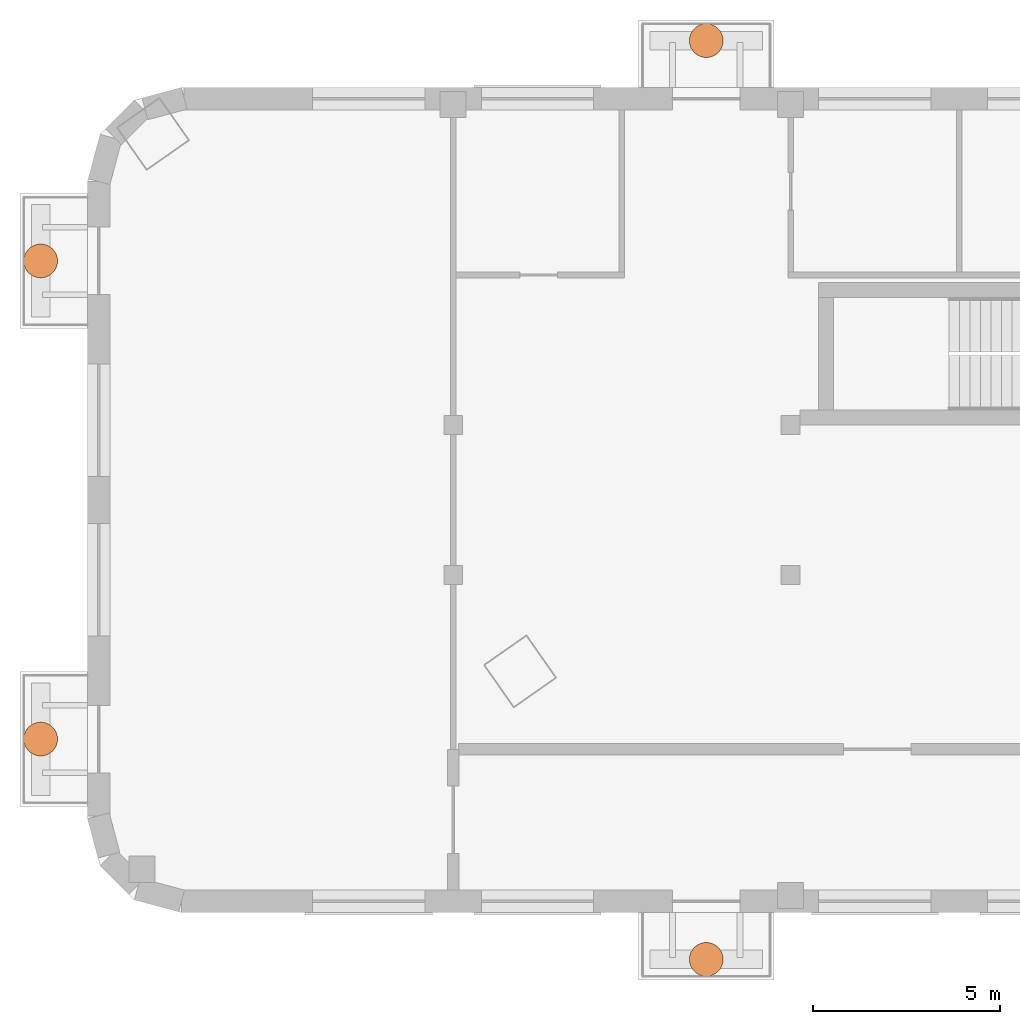
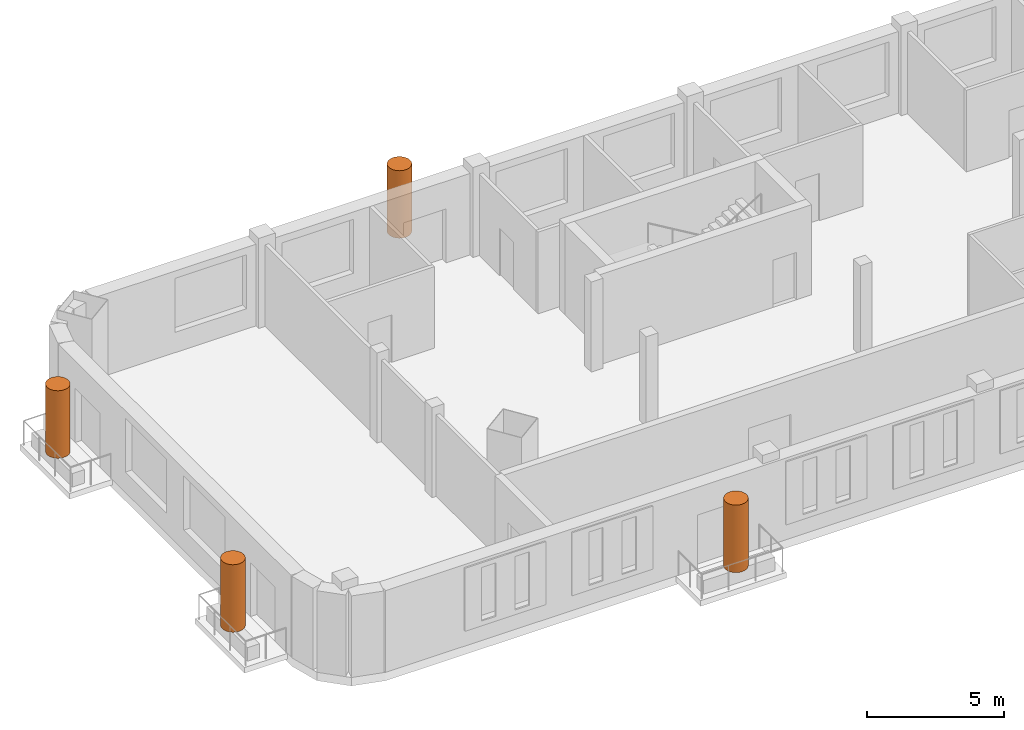
# One storey, part 7 of 7: 4 geographic elements.
"""IFC4 building model written with IfcOpenShell, lengths in metres."""

import ifcopenshell
import ifcopenshell.guid

model = None  # the IFC model being written
_history = None  # IfcOwnerHistory: only IFC2X3 demands one
_inside = {}  # id of a spatial element -> (the spatial element, [elements in it])
_under = {}  # id of a project, library or spatial element -> (it, [spatial elements below it])
_declared = {}  # id of a project -> (the project, [libraries it declares])
_typed = {}  # id of a type object -> (the type object, [elements of that type])
_made_of = {}  # id of a material, layer set ... -> (it, [elements and type objects made of it])


def new_model(schema):
    """Start an empty IFC model of exactly this schema.

    Asked for "IFC4X3", IfcOpenShell would pick the latest addendum, in which some entities
    have other attributes; the version numbers below select the first issue.
    IFC2X3 requires an IfcOwnerHistory on every rooted entity: one is made here for all.
    """
    global model, _history
    if schema == "IFC4X3":
        model = ifcopenshell.file(schema_version=(4, 3, 0, 0))
    else:
        model = ifcopenshell.file(schema=schema)
    _inside.clear()
    _under.clear()
    _declared.clear()
    _typed.clear()
    _made_of.clear()
    _history = None
    if model.schema == "IFC2X3":
        org = make("IfcOrganization", Name="unknown")
        user = make(
            "IfcPersonAndOrganization",
            ThePerson=make("IfcPerson", FamilyName="unknown"),
            TheOrganization=org,
        )
        app = make(
            "IfcApplication",
            ApplicationDeveloper=org,
            Version="unknown",
            ApplicationFullName="unknown",
            ApplicationIdentifier="unknown",
        )
        _history = make(
            "IfcOwnerHistory",
            OwningUser=user,
            OwningApplication=app,
            ChangeAction="ADDED",
            CreationDate=0,
        )
    return model


def make(cls, **values):
    """One entity of the class cls with the attributes given. An attribute that is None is left unset."""
    return model.create_entity(
        cls, **{name: value for name, value in values.items() if value is not None}
    )


def rooted(cls, **values):
    """An entity with a GlobalId (a new one), such as an element, a storey or a relation."""
    return make(cls, GlobalId=ifcopenshell.guid.new(), OwnerHistory=_history, **values)


def si_unit(unit_type, name, prefix=None):
    """IfcSIUnit, for example si_unit("LENGTHUNIT", "METRE", prefix="MILLI")."""
    return make("IfcSIUnit", UnitType=unit_type, Prefix=prefix, Name=name)


def assignment(units):
    """IfcUnitAssignment: the units of a project."""
    return None if units is None else make("IfcUnitAssignment", Units=units)


def point(xyz):
    """IfcCartesianPoint."""
    return None if xyz is None else make("IfcCartesianPoint", Coordinates=xyz)


def direction(xyz):
    """IfcDirection."""
    return None if xyz is None else make("IfcDirection", DirectionRatios=xyz)


def frame(location, z_axis=None, x_axis=None):
    """IfcAxis2Placement3D, a coordinate frame: its origin and axes. An axis left out is left unset."""
    return make(
        "IfcAxis2Placement3D",
        Location=point(location),
        Axis=direction(z_axis),
        RefDirection=direction(x_axis),
    )


def frame_2d(location, x_axis=None):
    """IfcAxis2Placement2D, a coordinate frame in the plane: its origin and x axis."""
    return make(
        "IfcAxis2Placement2D", Location=point(location), RefDirection=direction(x_axis)
    )


def origin():
    """The frame at (0, 0, 0) with its axes left unset."""
    return frame((0.0, 0.0, 0.0))


def origin_2d():
    """The frame at (0, 0) in the plane with its x axis left unset."""
    return frame_2d((0.0, 0.0))


def place(relative_to, where):
    """IfcLocalPlacement: puts the frame where relative to a parent placement (None: the world)."""
    return make(
        "IfcLocalPlacement", PlacementRelTo=relative_to, RelativePlacement=where
    )


def context(
    kind, dimensions, precision=None, world=None, true_north=None, identifier=None
):
    """IfcGeometricRepresentationContext, for example the 3D "Model" context."""
    return make(
        "IfcGeometricRepresentationContext",
        ContextIdentifier=identifier,
        ContextType=kind,
        CoordinateSpaceDimension=dimensions,
        Precision=precision,
        WorldCoordinateSystem=world,
        TrueNorth=true_north,
    )


def subcontext(parent, identifier, kind, view, scale=None):
    """IfcGeometricRepresentationSubContext, for example "Body" below "Model"."""
    return make(
        "IfcGeometricRepresentationSubContext",
        ContextIdentifier=identifier,
        ContextType=kind,
        ParentContext=parent,
        TargetScale=scale,
        TargetView=view,
    )


def project(units=None, contexts=None):
    """IfcProject with its units and contexts."""
    return rooted(
        "IfcProject",
        Name="project",
        RepresentationContexts=contexts,
        UnitsInContext=assignment(units),
    )


def spatial(cls, under=None, at=None, **own):
    """A site, building, storey or space (cls), placed at a placement, below another one or the project."""
    s = rooted(cls, ObjectPlacement=at, **own)
    if under is not None:
        _under.setdefault(under.id(), (under, []))[1].append(s)
    return s


def profile(cls, at=None, kind="AREA", **sizes):
    """A parametric profile (cls). Its sizes go by their IFC names, for example OverallWidth=200.0."""
    return make(cls, ProfileType=kind, Position=at, **sizes)


def circle(**sizes):
    """IfcCircleProfileDef."""
    return profile("IfcCircleProfileDef", **sizes)


def extrude(swept, where, along, depth):
    """IfcExtrudedAreaSolid: the profile swept, set in the frame where, extruded along a direction by depth."""
    return make(
        "IfcExtrudedAreaSolid",
        SweptArea=swept,
        Position=where,
        ExtrudedDirection=direction(along),
        Depth=depth,
    )


def shape(context_of_items, identifier, shape_type, items):
    """IfcShapeRepresentation: the items that make up one representation, for example the "Body"."""
    return make(
        "IfcShapeRepresentation",
        ContextOfItems=context_of_items,
        RepresentationIdentifier=identifier,
        RepresentationType=shape_type,
        Items=items,
    )


def made_of(thing, what):
    """Note that an element or type object is made of a material, layer set ...; save() writes the relation."""
    if what is not None:
        _made_of.setdefault(what.id(), (what, []))[1].append(thing)
    return thing


def element(
    cls,
    number,
    at=None,
    inside=None,
    cuts=None,
    type_object=None,
    material=None,
    context=None,
    identifier="Body",
    shape_type=None,
    held_by="IfcProductDefinitionShape",
    body=None,
    shapes=None,
    **own,
):
    """One element of the class cls, such as IfcWall. Its Tag is "e" and its number.

    at: its placement. inside: the storey or other place that contains it. cuts: it is an
    opening in that element (IfcRelVoidsElement). A single representation is given by context,
    identifier, shape_type and body (its items); several are given by shapes. held_by: the class
    of the entity that holds the representations. save() writes the other relations.
    """
    e = rooted(cls, Tag="e%d" % number, ObjectPlacement=at, **own)
    if body is not None:
        shapes = [shape(context, identifier, shape_type, body)]
    if shapes is not None:
        e.Representation = make(held_by, Representations=shapes)
    if inside is not None:
        _inside.setdefault(inside.id(), (inside, []))[1].append(e)
    if cuts is not None:
        rooted(
            "IfcRelVoidsElement", RelatingBuildingElement=cuts, RelatedOpeningElement=e
        )
    if type_object is not None:
        _typed.setdefault(type_object.id(), (type_object, []))[1].append(e)
    return made_of(e, material)


def aggregate(whole, parts):
    """IfcRelAggregates: a whole, such as a stair, and the parts it consists of."""
    return rooted("IfcRelAggregates", RelatingObject=whole, RelatedObjects=parts)


def save(model, path):
    """Write the relations noted so far, then the file.

    IfcRelAggregates (storeys below a building ...), IfcRelContainedInSpatialStructure (elements
    in a storey), IfcRelDefinesByType, IfcRelAssociatesMaterial and IfcRelDeclares: one each for
    every whole, place, type object, material and project.
    """
    for whole, parts in _under.values():
        aggregate(whole, parts)
    for where, things in _inside.values():
        rooted(
            "IfcRelContainedInSpatialStructure",
            RelatedElements=things,
            RelatingStructure=where,
        )
    for kind, things in _typed.values():
        rooted("IfcRelDefinesByType", RelatedObjects=things, RelatingType=kind)
    for what, things in _made_of.values():
        rooted("IfcRelAssociatesMaterial", RelatedObjects=things, RelatingMaterial=what)
    for by, libraries in _declared.values():
        rooted("IfcRelDeclares", RelatingContext=by, RelatedDefinitions=libraries)
    model.write(path)


model = new_model("IFC4")

# Units and contexts
model_context = context("Model", 3, precision=1e-05, world=origin(), true_north=direction((0.0, 1.0)))
body_context = subcontext(model_context, "Body", "Model", "MODEL_VIEW")
ifc_project = project(units=[si_unit("LENGTHUNIT", "METRE"), si_unit("AREAUNIT", "SQUARE_METRE"), si_unit("VOLUMEUNIT", "CUBIC_METRE"), si_unit("PLANEANGLEUNIT", "RADIAN"), si_unit("MASSUNIT", "GRAM", prefix="KILO")], contexts=[model_context])

# Site, building, storey
site_placement = place(None, origin())
site = spatial("IfcSite", under=ifc_project, at=site_placement, CompositionType="ELEMENT")
building_placement = place(site_placement, origin())
building = spatial("IfcBuilding", under=site, at=building_placement, Name="Skarvind Civic Tower", CompositionType="ELEMENT")
storey_placement = place(building_placement, frame((0.0, 0.0, 241.5)))
storey = spatial("IfcBuildingStorey", under=building, at=storey_placement, Name="L57", CompositionType="ELEMENT", Elevation=241.5)

# Geographic elements
for number, where, z_axis, x_axis, name in (
    (1, (61.0, 140.25, 0.60009765625), (0.0, 0.0, 1.0), (1.0, 0.0, 0.0), "TREE BALCONY TREE"),
    (2, (43.25, 121.625, 0.60009765625), (0.0, 0.0, 1.0), (1.0, 0.0, 0.0), "TREE BALCONY TREE"),
    (3, (43.25, 134.375, 0.60009765625), (0.0, 0.0, 1.0), (1.0, 0.0, 0.0), "TREE BALCONY TREE"),
    (4, (61.0, 115.75, 0.60009765625), (0.0, 0.0, 1.0), (1.0, 0.0, 0.0), "TREE BALCONY TREE"),
):
    element("IfcGeographicElement", number, at=place(storey_placement, frame(where, z_axis=z_axis, x_axis=x_axis)), inside=storey, Name=name, ObjectType="TREE", PredefinedType="USERDEFINED", context=body_context, shape_type="SweptSolid", body=[
        extrude(circle(Radius=0.449951171875, at=origin_2d()), origin(), (0.0, 0.0, 1.0), 3.0),
    ])

save(model, "model.ifc")
